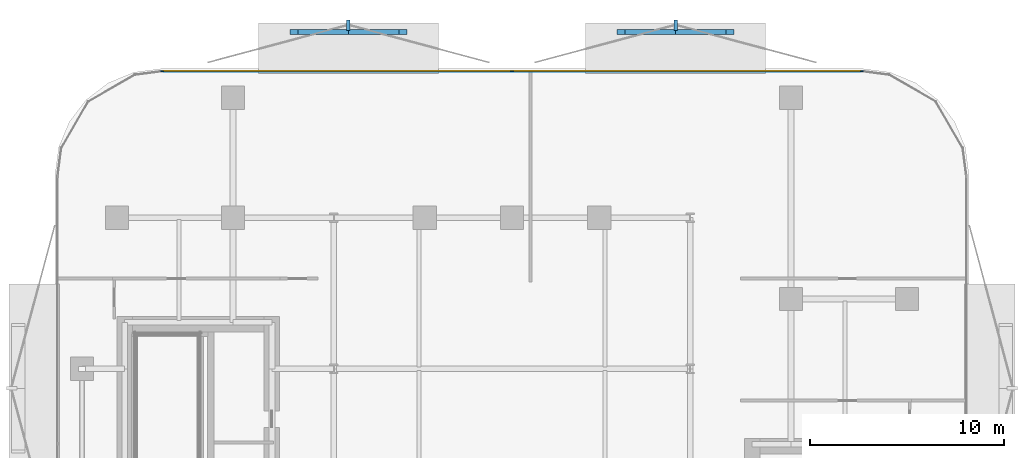
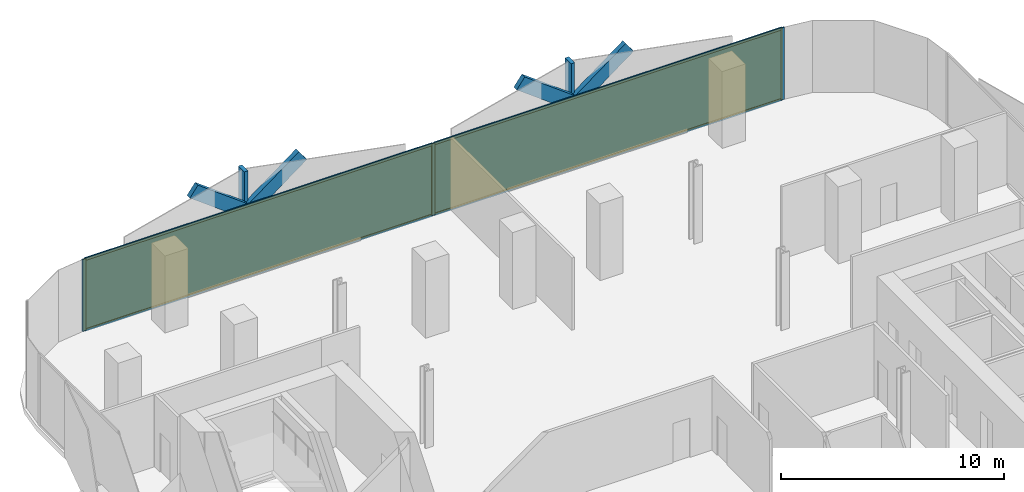
# One storey, part 10 of 15: 13 members, 2 plates, 1 curtain wall.
"""IFC4 building model written with IfcOpenShell, lengths in metres."""

from ifc_helpers import new_model, si_unit, direction, frame, frame_2d, origin, origin_2d, place, context, subcontext, project, spatial, rectangle, extrude, material, layer, layer_set, material_profile, profile_set, type_object, element, aggregate, save


model = new_model("IFC4")

# Units and contexts
model_context = context("Model", 3, precision=1e-05, world=origin(), true_north=direction((0.0, 1.0)))
body_context = subcontext(model_context, "Body", "Model", "MODEL_VIEW")
ifc_project = project(units=[si_unit("LENGTHUNIT", "METRE"), si_unit("AREAUNIT", "SQUARE_METRE"), si_unit("VOLUMEUNIT", "CUBIC_METRE"), si_unit("PLANEANGLEUNIT", "RADIAN"), si_unit("MASSUNIT", "GRAM", prefix="KILO")], contexts=[model_context])

# Member
ifc_material_1 = material(Name="Anodised Bronze Aluminium 6063-T6", Category="aluminium")
ifc_material_profile_1 = material_profile(ifc_material_1, rectangle(XDim=0.260009765625, YDim=0.699951171875, at=origin_2d()))
ifc_profile_set_1 = profile_set([ifc_material_profile_1], Name="Anodised Bronze Aluminium 6063-T6")
member_type_1 = type_object("IfcMemberType", Name="Bronze Diamond Solar-Screen Lattice Rib BDL-700", PredefinedType="MULLION", material=ifc_profile_set_1)
site_placement = place(None, origin())
building_placement = place(site_placement, origin())
storey_placement = place(building_placement, frame((0.0, 0.0, 110.0)))
member_1_placement = place(storey_placement, frame((-11.260498046875, 28.199951171875, -0.1298828125), z_axis=(0.80154474731, 0.0, 0.597934794154), x_axis=(0.0, 1.0, 0.0)))
member_1 = element("IfcMember", 1, at=member_1_placement, type_object=member_type_1, Name="L25 Bronze Diamond Solar Screen Lattice Rib 149A", PredefinedType="MULLION", context=body_context, shape_type="SweptSolid", body=[
    extrude(rectangle(XDim=0.260009765625, YDim=0.699951171875, at=origin_2d()), origin(), (0.0, 0.0, 1.0), 7.024169921875),
])

member_2_placement = place(storey_placement, frame((-5.63037109375, 28.199951171875, -0.1298828125), z_axis=(-0.80154474731, 0.0, 0.597934794154), x_axis=(0.0, -1.0, 0.0)))
member_2 = element("IfcMember", 2, at=member_2_placement, type_object=member_type_1, Name="L25 Bronze Diamond Solar Screen Lattice Rib 149B", PredefinedType="MULLION", context=body_context, shape_type="SweptSolid", body=[
    extrude(rectangle(XDim=0.260009765625, YDim=0.699951171875, at=origin_2d()), origin(), (0.0, 0.0, 1.0), 7.024169921875),
])

member_3_placement = place(storey_placement, frame((5.63037109375, 28.199951171875, -0.1298828125), z_axis=(0.80154474731, 0.0, 0.597934794154), x_axis=(0.0, 1.0, 0.0)))
member_3 = element("IfcMember", 3, at=member_3_placement, type_object=member_type_1, Name="L25 Bronze Diamond Solar Screen Lattice Rib 150A", PredefinedType="MULLION", context=body_context, shape_type="SweptSolid", body=[
    extrude(rectangle(XDim=0.260009765625, YDim=0.699951171875, at=origin_2d()), origin(), (0.0, 0.0, 1.0), 7.024169921875),
])

member_4_placement = place(storey_placement, frame((11.260498046875, 28.199951171875, -0.1298828125), z_axis=(-0.80154474731, 0.0, 0.597934794154), x_axis=(0.0, -1.0, 0.0)))
member_4 = element("IfcMember", 4, at=member_4_placement, type_object=member_type_1, Name="L25 Bronze Diamond Solar Screen Lattice Rib 150B", PredefinedType="MULLION", context=body_context, shape_type="SweptSolid", body=[
    extrude(rectangle(XDim=0.260009765625, YDim=0.699951171875, at=origin_2d()), origin(), (0.0, 0.0, 1.0), 7.024169921875),
])

ifc_material_2 = material(Name="Anodised Bronze Aluminium 6063-T6", Category="aluminium")
ifc_material_profile_2 = material_profile(ifc_material_2, rectangle(XDim=0.179931640625, YDim=0.5400390625, at=origin_2d()))
ifc_profile_set_2 = profile_set([ifc_material_profile_2], Name="Anodised Bronze Aluminium 6063-T6")
member_type_2 = type_object("IfcMemberType", Name="Bronze Solar-Screen Vertical Fold Fin BSF-540", PredefinedType="MULLION", material=ifc_profile_set_2)
member_5_placement = place(storey_placement, frame((-8.4453125, 28.5400390625, -0.1298828125), z_axis=(0.0, 0.0, 1.0), x_axis=(1.0, 0.0, 0.0)))
member_5 = element("IfcMember", 5, at=member_5_placement, type_object=member_type_2, Name="L25 Bronze Solar Screen Vertical Fin 149", PredefinedType="MULLION", context=body_context, shape_type="SweptSolid", body=[
    extrude(rectangle(XDim=0.179931640625, YDim=0.5400390625, at=origin_2d()), origin(), (0.0, 0.0, 1.0), 4.199951171875),
])

member_6_placement = place(storey_placement, frame((8.4453125, 28.5400390625, -0.1298828125), z_axis=(0.0, 0.0, 1.0), x_axis=(1.0, 0.0, 0.0)))
member_6 = element("IfcMember", 6, at=member_6_placement, type_object=member_type_2, Name="L25 Bronze Solar Screen Vertical Fin 150", PredefinedType="MULLION", context=body_context, shape_type="SweptSolid", body=[
    extrude(rectangle(XDim=0.179931640625, YDim=0.5400390625, at=origin_2d()), origin(), (0.0, 0.0, 1.0), 4.199951171875),
])

ifc_material_3 = material(Name="Anodised Bronze Aluminium 6063-T6", Category="aluminium")
ifc_material_profile_3 = material_profile(ifc_material_3, rectangle(XDim=0.06494140625, YDim=0.175048828125, at=origin_2d()))
ifc_profile_set_3 = profile_set([ifc_material_profile_3], Name="Anodised Bronze Aluminium 6063-T6")
member_type_3 = type_object("IfcMemberType", Name="CW-Z2 Mullion 65x175", PredefinedType="MULLION", material=ifc_profile_set_3)
member_7_placement = place(storey_placement, frame((-18.058349609375, 26.159912109375, 0.0), z_axis=(0.0, 0.0, 1.0), x_axis=(0.0, 1.0, 0.0)))
member_7 = element("IfcMember", 7, at=member_7_placement, type_object=member_type_3, Name="CW-Z2 mullion 1", PredefinedType="MULLION", context=body_context, shape_type="SweptSolid", body=[
    extrude(rectangle(XDim=0.06494140625, YDim=0.175048828125, at=origin_2d()), origin(), (0.0, 0.0, 1.0), 3.93994140625),
])

member_8_placement = place(storey_placement, frame((0.0, 26.159912109375, 0.0), z_axis=(0.0, 0.0, 1.0), x_axis=(0.0, 1.0, 0.0)))
member_8 = element("IfcMember", 8, at=member_8_placement, type_object=member_type_3, Name="CW-Z2 mullion 2", PredefinedType="MULLION", context=body_context, shape_type="SweptSolid", body=[
    extrude(rectangle(XDim=0.06494140625, YDim=0.175048828125, at=origin_2d()), origin(), (0.0, 0.0, 1.0), 3.93994140625),
])

member_9_placement = place(storey_placement, frame((18.058349609375, 26.159912109375, 0.0), z_axis=(0.0, 0.0, 1.0), x_axis=(0.0, 1.0, 0.0)))
member_9 = element("IfcMember", 9, at=member_9_placement, type_object=member_type_3, Name="CW-Z2 mullion 3", PredefinedType="MULLION", context=body_context, shape_type="SweptSolid", body=[
    extrude(rectangle(XDim=0.06494140625, YDim=0.175048828125, at=origin_2d()), origin(), (0.0, 0.0, 1.0), 3.93994140625),
])

ifc_material_4 = material(Name="Anodised Bronze Aluminium 6063-T6", Category="aluminium")
ifc_material_profile_4 = material_profile(ifc_material_4, rectangle(XDim=0.06494140625, YDim=0.135009765625, at=origin_2d()))
ifc_profile_set_4 = profile_set([ifc_material_profile_4], Name="Anodised Bronze Aluminium 6063-T6")
member_type_4 = type_object("IfcMemberType", Name="CW-Z2 Transom 65x135", PredefinedType="USERDEFINED", material=ifc_profile_set_4)
member_10_placement = place(storey_placement, frame((-18.02587890625, 26.159912109375, 0.032470703125), z_axis=(1.0, 0.0, 0.0), x_axis=(0.0, 1.0, 0.0)))
member_10 = element("IfcMember", 10, at=member_10_placement, type_object=member_type_4, Name="CW-Z2 transom 1.1", ObjectType="TRANSOM", PredefinedType="USERDEFINED", context=body_context, shape_type="SweptSolid", body=[
    extrude(rectangle(XDim=0.06494140625, YDim=0.135009765625, at=origin_2d()), origin(), (0.0, 0.0, 1.0), 17.993408203125),
])

member_11_placement = place(storey_placement, frame((-18.02587890625, 26.159912109375, 3.907470703125), z_axis=(1.0, 0.0, 0.0), x_axis=(0.0, 1.0, 0.0)))
member_11 = element("IfcMember", 11, at=member_11_placement, type_object=member_type_4, Name="CW-Z2 transom 1.2", ObjectType="TRANSOM", PredefinedType="USERDEFINED", context=body_context, shape_type="SweptSolid", body=[
    extrude(rectangle(XDim=0.06494140625, YDim=0.135009765625, at=origin_2d()), origin(), (0.0, 0.0, 1.0), 17.993408203125),
])

member_12_placement = place(storey_placement, frame((0.032470703125, 26.159912109375, 0.032470703125), z_axis=(1.0, 0.0, 0.0), x_axis=(0.0, 1.0, 0.0)))
member_12 = element("IfcMember", 12, at=member_12_placement, type_object=member_type_4, Name="CW-Z2 transom 2.1", ObjectType="TRANSOM", PredefinedType="USERDEFINED", context=body_context, shape_type="SweptSolid", body=[
    extrude(rectangle(XDim=0.06494140625, YDim=0.135009765625, at=origin_2d()), origin(), (0.0, 0.0, 1.0), 17.993408203125),
])

member_13_placement = place(storey_placement, frame((0.032470703125, 26.159912109375, 3.907470703125), z_axis=(1.0, 0.0, 0.0), x_axis=(0.0, 1.0, 0.0)))
member_13 = element("IfcMember", 13, at=member_13_placement, type_object=member_type_4, Name="CW-Z2 transom 2.2", ObjectType="TRANSOM", PredefinedType="USERDEFINED", context=body_context, shape_type="SweptSolid", body=[
    extrude(rectangle(XDim=0.06494140625, YDim=0.135009765625, at=origin_2d()), origin(), (0.0, 0.0, 1.0), 17.993408203125),
])

# Plate
ifc_material_5 = material(Name="Low-E Solar Control Laminated Glass", Category="glass")
ifc_layer_1 = layer(ifc_material_5, 0.028076171875, Name="Low-E Solar Control Laminated Glass")
ifc_layer_set_1 = layer_set([ifc_layer_1], Name="Low-E Solar Control Laminated Glass")
plate_type = type_object("IfcPlateType", Name="CW-Z2 Low-E Double Glazed Panel 28mm", PredefinedType="CURTAIN_PANEL", material=ifc_layer_set_1)
plate_1_placement = place(storey_placement, frame((-9.029052734375, 26.159912109375, 0.06494140625), z_axis=(0.0, 0.0, 1.0), x_axis=(1.0, 0.0, 0.0)))
plate_1 = element("IfcPlate", 14, at=plate_1_placement, type_object=plate_type, Name="CW-Z2 panel 1.1", PredefinedType="CURTAIN_PANEL", context=body_context, shape_type="SweptSolid", body=[
    extrude(rectangle(XDim=17.993408203125, YDim=0.028076171875, at=origin_2d()), origin(), (0.0, 0.0, 1.0), 3.81005859375),
])

plate_2_placement = place(storey_placement, frame((9.029052734375, 26.159912109375, 0.06494140625), z_axis=(0.0, 0.0, 1.0), x_axis=(1.0, 0.0, 0.0)))
plate_2 = element("IfcPlate", 15, at=plate_2_placement, type_object=plate_type, Name="CW-Z2 panel 2.1", PredefinedType="CURTAIN_PANEL", context=body_context, shape_type="SweptSolid", body=[
    extrude(rectangle(XDim=17.993408203125, YDim=0.028076171875, at=origin_2d()), origin(), (0.0, 0.0, 1.0), 3.81005859375),
])

# Site, building, storey
site = spatial("IfcSite", under=ifc_project, at=site_placement, CompositionType="ELEMENT")
building = spatial("IfcBuilding", under=site, at=building_placement, Name="Khairoan Windgate Tower", CompositionType="ELEMENT")
storey = spatial("IfcBuildingStorey", under=building, at=storey_placement, Name="L25", CompositionType="ELEMENT", Elevation=110.0)

# Curtain wall
ifc_material_6 = material(Name="Anodised Bronze Aluminium 6063-T6", Category="aluminium")
ifc_layer_2 = layer(ifc_material_6, 0.175048828125, Name="Anodised Bronze Aluminium 6063-T6")
ifc_layer_set_2 = layer_set([ifc_layer_2], Name="Anodised Bronze Aluminium 6063-T6")
curtain_wall_type = type_object("IfcCurtainWallType", Name="Mid-Rise Office Unitised Curtain Wall CW-Z2", PredefinedType="NOTDEFINED", material=ifc_layer_set_2)
curtain_wall_placement = place(storey_placement, frame((-18.0908203125, 26.159912109375, 0.0), z_axis=(0.0, 0.0, 1.0), x_axis=(1.0, 0.0, 0.0)))
curtain_wall = element("IfcCurtainWall", 16, at=curtain_wall_placement, inside=storey, type_object=curtain_wall_type, Name="L25 Unitised Curtain Wall 11", PredefinedType="NOTDEFINED", context=body_context, shape_type="SweptSolid", body=[
    extrude(rectangle(XDim=36.181640625, YDim=0.010009765625, at=frame_2d((18.0908203125, 0.0))), origin(), (0.0, 0.0, 1.0), 3.93994140625),
])

aggregate(curtain_wall, [member_7, member_8, member_9, member_10, member_11, plate_1, member_12, member_13, plate_2, member_1, member_2, member_5, member_3, member_4, member_6])

save(model, "model.ifc")
